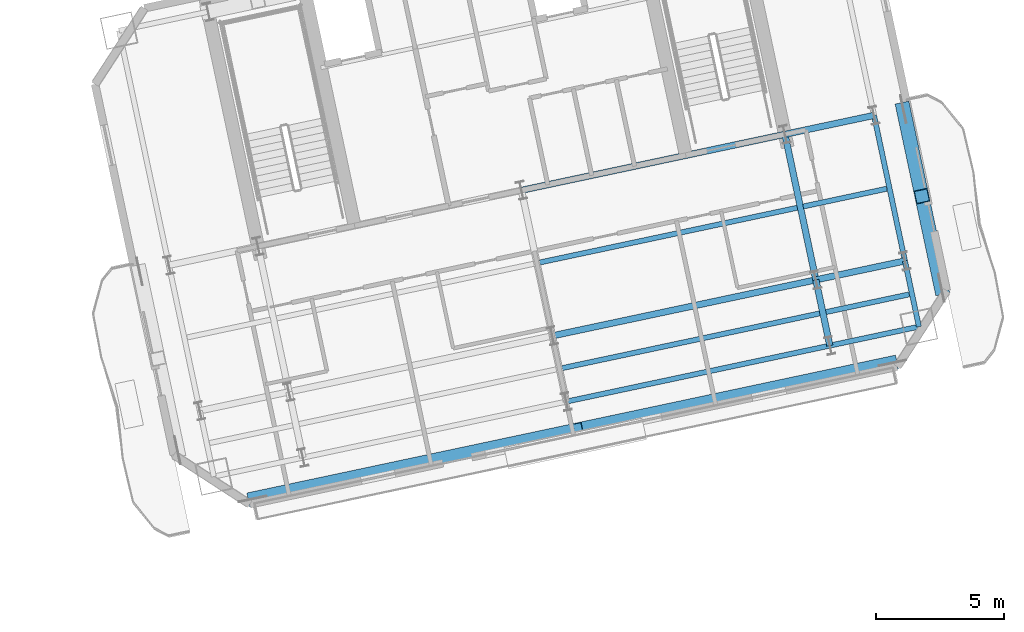
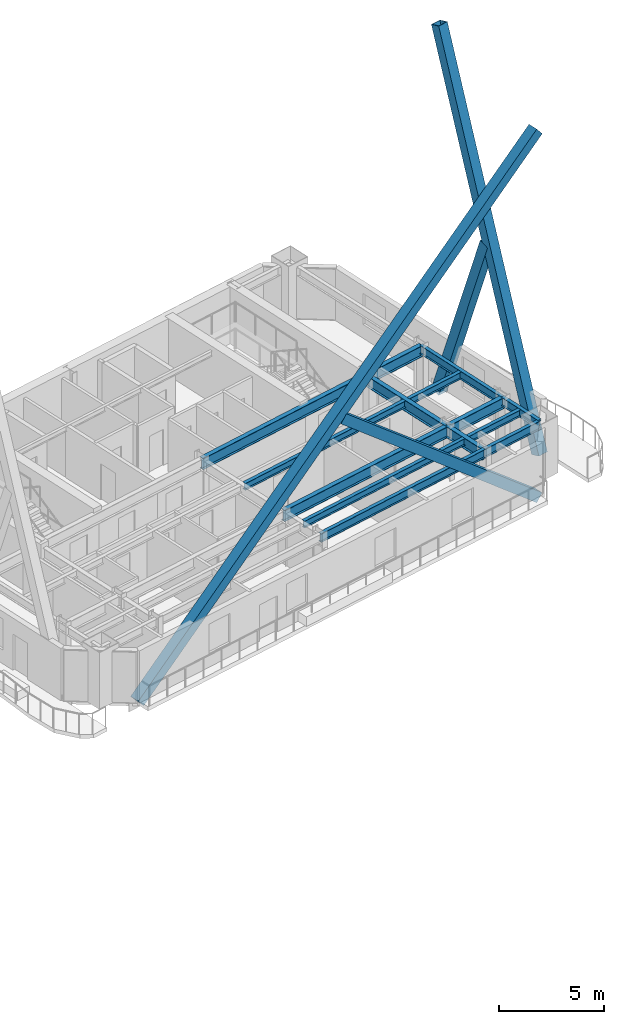
# One storey, part 6 of 20: 14 beams, 4 members.
"""IFC4 building model written with IfcOpenShell, lengths in metres."""

from ifc_helpers import new_model, si_unit, direction, frame, origin, origin_2d, place, context, subcontext, project, spatial, hollow_rectangle, i_section, extrude, material, material_profile, profile_set, type_object, element, save


model = new_model("IFC4")

# Units and contexts
model_context = context("Model", 3, precision=1e-05, world=origin(), true_north=direction((0.0, 1.0)))
body_context = subcontext(model_context, "Body", "Model", "MODEL_VIEW")
ifc_project = project(units=[si_unit("LENGTHUNIT", "METRE"), si_unit("AREAUNIT", "SQUARE_METRE"), si_unit("VOLUMEUNIT", "CUBIC_METRE"), si_unit("PLANEANGLEUNIT", "RADIAN"), si_unit("MASSUNIT", "GRAM", prefix="KILO")], contexts=[model_context])

# Site, building, storey
site_placement = place(None, origin())
site = spatial("IfcSite", under=ifc_project, at=site_placement, CompositionType="ELEMENT")
building_placement = place(site_placement, origin())
building = spatial("IfcBuilding", under=site, at=building_placement, Name="Haevon Station Towers", CompositionType="ELEMENT")
storey_placement = place(building_placement, frame((0.0, 0.0, 175.800048828125)))
storey = spatial("IfcBuildingStorey", under=building, at=storey_placement, Name="L48", CompositionType="ELEMENT", Elevation=175.800048828125)

# Beams
ifc_material_1 = material(Name="Steel S355", Category="steel")
ifc_material_profile_1 = material_profile(ifc_material_1, i_section(OverallWidth=0.25, OverallDepth=0.64990234375, WebThickness=0.012939453125, FlangeThickness=0.02197265625, at=origin_2d()), Name="H-650x250x13x22")
ifc_profile_set_1 = profile_set([ifc_material_profile_1], Name="Steel S355")
beam_type_1 = type_object("IfcBeamType", Name="BM-G650", PredefinedType="BEAM", material=ifc_profile_set_1)
beam_1_placement = place(storey_placement, frame((110.228759765625, 33.9521484375, 2.724853515625), z_axis=(0.978146794194, 0.207915485254, 0.0), x_axis=(-0.207915485254, 0.978146794194, 0.0)))
element("IfcBeam", 1, at=beam_1_placement, inside=storey, type_object=beam_type_1, Name="BM-T2U-L48-02-03", PredefinedType="BEAM", context=body_context, shape_type="SweptSolid", body=[
    extrude(i_section(OverallWidth=0.25, OverallDepth=0.64990234375, WebThickness=0.012939453125, FlangeThickness=0.02197265625, at=origin_2d()), origin(), (0.0, 0.0, 1.0), 10.5),
])
beam_2_placement = place(storey_placement, frame((120.499267578125, 36.13525390625, 2.724853515625), z_axis=(0.978150285663, 0.207899058817, 0.0), x_axis=(-0.207899058817, 0.978150285663, 0.0)))
element("IfcBeam", 2, at=beam_2_placement, inside=storey, type_object=beam_type_1, Name="BM-T2U-L48-02-04", PredefinedType="BEAM", context=body_context, shape_type="SweptSolid", body=[
    extrude(i_section(OverallWidth=0.25, OverallDepth=0.64990234375, WebThickness=0.012939453125, FlangeThickness=0.02197265625, at=origin_2d()), origin(), (0.0, 0.0, 1.0), 3.550048828125),
])
beam_3_placement = place(storey_placement, frame((109.02294921875, 39.62548828125, 2.724853515625), z_axis=(0.978146794194, 0.207915485254, 0.0), x_axis=(-0.207915485254, 0.978146794194, 0.0)))
element("IfcBeam", 3, at=beam_3_placement, inside=storey, type_object=beam_type_1, Name="BM-T2U-L48-03-03", PredefinedType="BEAM", context=body_context, shape_type="SweptSolid", body=[
    extrude(i_section(OverallWidth=0.25, OverallDepth=0.64990234375, WebThickness=0.012939453125, FlangeThickness=0.02197265625, at=origin_2d()), origin(), (0.0, 0.0, 1.0), 10.5),
])
beam_4_placement = place(storey_placement, frame((119.29345703125, 41.80859375, 2.724853515625), z_axis=(0.978150285663, 0.207899058817, 0.0), x_axis=(-0.207899058817, 0.978150285663, 0.0)))
element("IfcBeam", 4, at=beam_4_placement, inside=storey, type_object=beam_type_1, Name="BM-T2U-L48-03-04", PredefinedType="BEAM", context=body_context, shape_type="SweptSolid", body=[
    extrude(i_section(OverallWidth=0.25, OverallDepth=0.64990234375, WebThickness=0.012939453125, FlangeThickness=0.02197265625, at=origin_2d()), origin(), (0.0, 0.0, 1.0), 3.550048828125),
])
beam_5_placement = place(storey_placement, frame((121.0439453125, 33.572509765625, 2.724853515625), z_axis=(-0.207893304367, 0.978151508714, 0.0), x_axis=(-0.978151508714, -0.207893304367, 0.0)))
element("IfcBeam", 5, at=beam_5_placement, inside=storey, type_object=beam_type_1, Name="BM-T2V-L48-04-01", PredefinedType="BEAM", context=body_context, shape_type="SweptSolid", body=[
    extrude(i_section(OverallWidth=0.25, OverallDepth=0.64990234375, WebThickness=0.012939453125, FlangeThickness=0.02197265625, at=origin_2d()), origin(), (0.0, 0.0, 1.0), 2.619873046875),
])
beam_6_placement = place(storey_placement, frame((120.499267578125, 36.13525390625, 2.724853515625), z_axis=(-0.207896009217, 0.97815093383, 0.0), x_axis=(-0.97815093383, -0.207896009217, 0.0)))
element("IfcBeam", 6, at=beam_6_placement, inside=storey, type_object=beam_type_1, Name="BM-T2V-L48-04-02", PredefinedType="BEAM", context=body_context, shape_type="SweptSolid", body=[
    extrude(i_section(OverallWidth=0.25, OverallDepth=0.64990234375, WebThickness=0.012939453125, FlangeThickness=0.02197265625, at=origin_2d()), origin(), (0.0, 0.0, 1.0), 5.800048828125),
])
ifc_material_profile_2 = material_profile(ifc_material_1, i_section(OverallWidth=0.199951171875, OverallDepth=0.39990234375, WebThickness=0.008056640625, FlangeThickness=0.012939453125, at=origin_2d()), Name="H-400x200x8x13")
ifc_profile_set_2 = profile_set([ifc_material_profile_2], Name="Steel S355")
beam_type_2 = type_object("IfcBeamType", Name="BM-J400", PredefinedType="JOIST", material=ifc_profile_set_2)
beam_7_placement = place(storey_placement, frame((110.608642578125, 32.693603515625, 2.849853515625), z_axis=(0.978145509903, 0.207921527161, 0.0), x_axis=(-0.207921527161, 0.978145509903, 0.0)))
element("IfcBeam", 7, at=beam_7_placement, inside=storey, type_object=beam_type_2, Name="BM-T2J-L48-01-03", PredefinedType="JOIST", context=body_context, shape_type="SweptSolid", body=[
    extrude(i_section(OverallWidth=0.199951171875, OverallDepth=0.39990234375, WebThickness=0.008056640625, FlangeThickness=0.012939453125, at=origin_2d()), origin(), (0.0, 0.0, 1.0), 10.280029296875),
])
beam_8_placement = place(storey_placement, frame((120.87939453125, 34.876708984375, 2.849853515625), z_axis=(0.978143382141, 0.207931536748, 0.0), x_axis=(-0.207931536748, 0.978143382141, 0.0)))
element("IfcBeam", 8, at=beam_8_placement, inside=storey, type_object=beam_type_2, Name="BM-T2J-L48-01-04", PredefinedType="JOIST", context=body_context, shape_type="SweptSolid", body=[
    extrude(i_section(OverallWidth=0.199951171875, OverallDepth=0.39990234375, WebThickness=0.008056640625, FlangeThickness=0.012939453125, at=origin_2d()), origin(), (0.0, 0.0, 1.0), 3.329833984375),
])
beam_9_placement = place(storey_placement, frame((109.7333984375, 36.811767578125, 2.849853515625), z_axis=(0.978150339653, 0.207898804801, 0.0), x_axis=(-0.207898804801, 0.978150339653, 0.0)))
element("IfcBeam", 9, at=beam_9_placement, inside=storey, type_object=beam_type_2, Name="BM-T2J-L48-02-03", PredefinedType="JOIST", context=body_context, shape_type="SweptSolid", body=[
    extrude(i_section(OverallWidth=0.199951171875, OverallDepth=0.39990234375, WebThickness=0.008056640625, FlangeThickness=0.012939453125, at=origin_2d()), origin(), (0.0, 0.0, 1.0), 10.280029296875),
])
beam_10_placement = place(storey_placement, frame((120.00390625, 38.994873046875, 2.849853515625), z_axis=(0.978146551768, 0.207916625754, 0.0), x_axis=(-0.207916625754, 0.978146551768, 0.0)))
element("IfcBeam", 10, at=beam_10_placement, inside=storey, type_object=beam_type_2, Name="BM-T2J-L48-02-04", PredefinedType="JOIST", context=body_context, shape_type="SweptSolid", body=[
    extrude(i_section(OverallWidth=0.199951171875, OverallDepth=0.39990234375, WebThickness=0.008056640625, FlangeThickness=0.012939453125, at=origin_2d()), origin(), (0.0, 0.0, 1.0), 3.330078125),
])
ifc_material_profile_3 = material_profile(ifc_material_1, i_section(OverallWidth=0.199951171875, OverallDepth=0.5, WebThickness=0.010009765625, FlangeThickness=0.01611328125, at=origin_2d()), Name="H-500x200x10x16")
ifc_profile_set_3 = profile_set([ifc_material_profile_3], Name="Steel S355")
beam_type_3 = type_object("IfcBeamType", Name="BM-SP500", PredefinedType="SPANDREL", material=ifc_profile_set_3)
beam_11_placement = place(storey_placement, frame((110.7734375, 31.389404296875, 2.800048828125), z_axis=(0.978146794194, 0.207915485254, 0.0), x_axis=(-0.207915485254, 0.978146794194, 0.0)))
element("IfcBeam", 11, at=beam_11_placement, inside=storey, type_object=beam_type_3, Name="BM-T2U-L48-01-03", PredefinedType="SPANDREL", context=body_context, shape_type="SweptSolid", body=[
    extrude(i_section(OverallWidth=0.199951171875, OverallDepth=0.5, WebThickness=0.010009765625, FlangeThickness=0.01611328125, at=origin_2d()), origin(), (0.0, 0.0, 1.0), 10.5),
])
beam_12_placement = place(storey_placement, frame((121.0439453125, 33.572509765625, 2.800048828125), z_axis=(0.978153257847, 0.207885074414, 0.0), x_axis=(-0.207885074414, 0.978153257847, 0.0)))
element("IfcBeam", 12, at=beam_12_placement, inside=storey, type_object=beam_type_3, Name="BM-T2U-L48-01-04", PredefinedType="SPANDREL", context=body_context, shape_type="SweptSolid", body=[
    extrude(i_section(OverallWidth=0.199951171875, OverallDepth=0.5, WebThickness=0.010009765625, FlangeThickness=0.01611328125, at=origin_2d()), origin(), (0.0, 0.0, 1.0), 3.55029296875),
])
beam_13_placement = place(storey_placement, frame((124.5166015625, 34.310546875, 2.800048828125), z_axis=(-0.207982458313, 0.978132555963, 0.0), x_axis=(-0.978132555963, -0.207982458313, 0.0)))
element("IfcBeam", 13, at=beam_13_placement, inside=storey, type_object=beam_type_3, Name="BM-T2V-L48-05-01", PredefinedType="SPANDREL", context=body_context, shape_type="SweptSolid", body=[
    extrude(i_section(OverallWidth=0.199951171875, OverallDepth=0.5, WebThickness=0.010009765625, FlangeThickness=0.01611328125, at=origin_2d()), origin(), (0.0, 0.0, 1.0), 2.6201171875),
])
beam_14_placement = place(storey_placement, frame((123.9716796875, 36.873291015625, 2.800048828125), z_axis=(-0.207896009217, 0.97815093383, 0.0), x_axis=(-0.97815093383, -0.207896009217, 0.0)))
element("IfcBeam", 14, at=beam_14_placement, inside=storey, type_object=beam_type_3, Name="BM-T2V-L48-05-02", PredefinedType="SPANDREL", context=body_context, shape_type="SweptSolid", body=[
    extrude(i_section(OverallWidth=0.199951171875, OverallDepth=0.5, WebThickness=0.010009765625, FlangeThickness=0.01611328125, at=origin_2d()), origin(), (0.0, 0.0, 1.0), 5.800048828125),
])

# Members
ifc_material_2 = material(Name="Steel S460", Category="steel")
ifc_material_profile_4 = material_profile(ifc_material_2, hollow_rectangle(XDim=0.550048828125, YDim=0.550048828125, WallThickness=0.028076171875, at=origin_2d()), Name="RHS-550x550x28")
ifc_profile_set_4 = profile_set([ifc_material_profile_4], Name="Steel S460")
member_type = type_object("IfcMemberType", Name="MB-550", PredefinedType="BRACE", material=ifc_profile_set_4)
member_1_placement = place(storey_placement, frame((98.54541015625, 27.59423828125, -0.1201171875), z_axis=(0.751141869546, 0.159661301219, 0.640542083479), x_axis=(-0.207913146182, 0.978147291385, 0.0)))
element("IfcMember", 15, at=member_1_placement, inside=storey, type_object=member_type, Name="BR-T2MB-T07-S-D1", PredefinedType="BRACE", context=body_context, shape_type="SweptSolid", body=[
    extrude(hollow_rectangle(XDim=0.550048828125, YDim=0.550048828125, WallThickness=0.028076171875, at=origin_2d()), origin(), (0.0, 0.0, 1.0), 33.206298828125),
])
member_2_placement = place(storey_placement, frame((123.488037109375, 32.89599609375, -0.1201171875), z_axis=(-0.751137480068, -0.15967226538, 0.640544497834), x_axis=(0.207927969154, -0.978144140525, 0.0)))
element("IfcMember", 16, at=member_2_placement, inside=storey, type_object=member_type, Name="BR-T2MB-T07-S-D2A", PredefinedType="BRACE", context=body_context, shape_type="SweptSolid", body=[
    extrude(hollow_rectangle(XDim=0.550048828125, YDim=0.550048828125, WallThickness=0.028076171875, at=origin_2d()), origin(), (0.0, 0.0, 1.0), 16.316162109375),
])
member_3_placement = place(storey_placement, frame((125.390625, 35.825439453125, -0.1201171875), z_axis=(-0.065992931657, 0.310492226364, 0.9482824001), x_axis=(-0.978150309686, -0.207898945791, 0.0)))
element("IfcMember", 17, at=member_3_placement, inside=storey, type_object=member_type, Name="BR-T2MB-T07-E-D1", PredefinedType="BRACE", context=body_context, shape_type="SweptSolid", body=[
    extrude(hollow_rectangle(XDim=0.550048828125, YDim=0.550048828125, WallThickness=0.028076171875, at=origin_2d()), origin(), (0.0, 0.0, 1.0), 22.429931640625),
])
member_4_placement = place(storey_placement, frame((123.910400390625, 42.789794921875, -0.1201171875), z_axis=(0.065995011652, -0.310493795511, 0.948281741565), x_axis=(0.978149190815, 0.207904209934, 0.0)))
element("IfcMember", 18, at=member_4_placement, inside=storey, type_object=member_type, Name="BR-T2MB-T07-E-D2A", PredefinedType="BRACE", context=body_context, shape_type="SweptSolid", body=[
    extrude(hollow_rectangle(XDim=0.550048828125, YDim=0.550048828125, WallThickness=0.028076171875, at=origin_2d()), origin(), (0.0, 0.0, 1.0), 10.927978515625),
])

save(model, "model.ifc")
